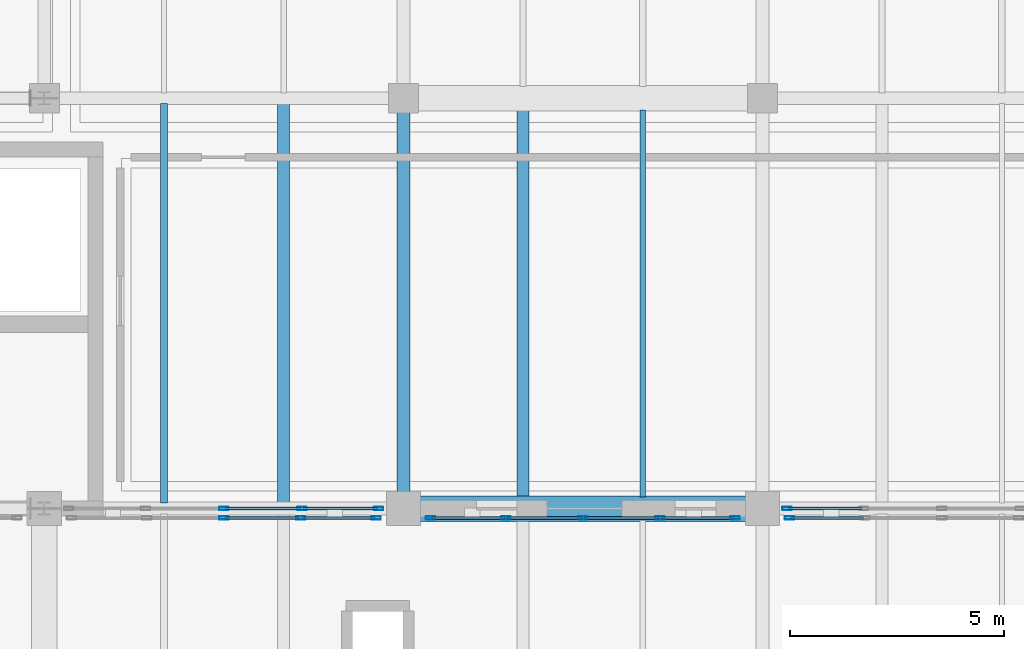
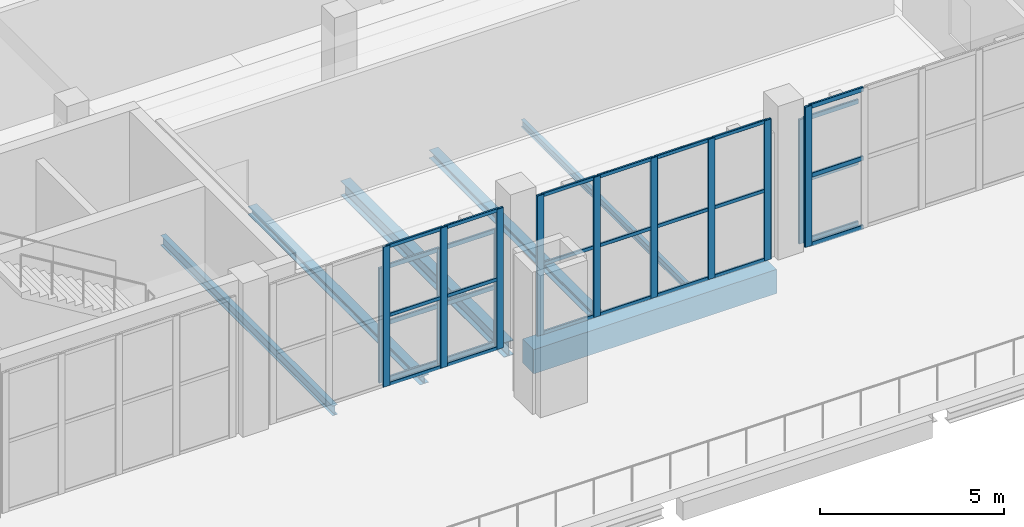
# One storey, part 10 of 77: 43 members, 6 beams, 5 elements without a shape of their own.
"""IFC4 building model written with IfcOpenShell, lengths in metres."""

from ifc_helpers import new_model, si_unit, direction, frame, origin, origin_2d, place, context, subcontext, project, spatial, rectangle, hollow_rectangle, i_section, extrude, material, layer, layer_set, material_profile, profile_set, type_object, element, aggregate, save


model = new_model("IFC4")

# Units and contexts
model_context = context("Model", 3, precision=1e-05, world=origin(), true_north=direction((0.0, 1.0)))
body_context = subcontext(model_context, "Body", "Model", "MODEL_VIEW")
ifc_project = project(units=[si_unit("LENGTHUNIT", "METRE"), si_unit("AREAUNIT", "SQUARE_METRE"), si_unit("VOLUMEUNIT", "CUBIC_METRE"), si_unit("PLANEANGLEUNIT", "RADIAN"), si_unit("MASSUNIT", "GRAM", prefix="KILO")], contexts=[model_context])

# Site, building, storey
site_placement = place(None, origin())
site = spatial("IfcSite", under=ifc_project, at=site_placement, CompositionType="ELEMENT")
building_placement = place(site_placement, origin())
building = spatial("IfcBuilding", under=site, at=building_placement, Name="Zulmaris Art Gallery", CompositionType="ELEMENT")
storey_placement = place(building_placement, frame((0.0, 0.0, 15.60009765625)))
storey = spatial("IfcBuildingStorey", under=building, at=storey_placement, Name="L03", CompositionType="ELEMENT", Elevation=15.60009765625)

# Beams
ifc_material_1 = material(Name="Steel S355J2", Category="steel")
ifc_material_profile_1 = material_profile(ifc_material_1, i_section(OverallWidth=0.300048828125, OverallDepth=0.489990234375, WebThickness=0.011962890625, FlangeThickness=0.02294921875, FilletRadius=0.027099609375, at=origin_2d()), Name="HEA 500")
ifc_profile_set_1 = profile_set([ifc_material_profile_1], Name="Steel S355J2")
beam_type_1 = type_object("IfcBeamType", Name="BEAM-BM11", PredefinedType="BEAM", material=ifc_profile_set_1)
beam_1_placement = place(storey_placement, frame((49.199951171875, 21.985107421875, -0.614990234375), z_axis=(0.0, 1.0, 0.0), x_axis=(-1.0, 0.0, 0.0)))
element("IfcBeam", 1, at=beam_1_placement, inside=storey, type_object=beam_type_1, Name="L03 Y-girder (x=49.2, 21.6..31.2)", PredefinedType="BEAM", context=body_context, shape_type="SweptSolid", body=[
    extrude(i_section(OverallWidth=0.300048828125, OverallDepth=0.489990234375, WebThickness=0.011962890625, FlangeThickness=0.02294921875, FilletRadius=0.027099609375, at=origin_2d()), origin(), (0.0, 0.0, 1.0), 8.8798828125),
])
ifc_material_2 = material(Name="Concrete C40/50", Category="concrete")
ifc_material_profile_2 = material_profile(ifc_material_2, rectangle(XDim=0.60009765625, YDim=0.800048828125, at=origin_2d()), Name="RC 600x800")
ifc_profile_set_2 = profile_set([ifc_material_profile_2], Name="Concrete C40/50")
beam_type_2 = type_object("IfcBeamType", Name="BEAM-BM27", PredefinedType="BEAM", material=ifc_profile_set_2)
beam_2_placement = place(storey_placement, frame((49.5849609375, 21.60009765625, -0.77001953125), z_axis=(1.0, 0.0, 0.0), x_axis=(0.0, 1.0, 0.0)))
element("IfcBeam", 2, at=beam_2_placement, inside=storey, type_object=beam_type_2, Name="L03 X-girder (49.2..57.6, y=21.6)", PredefinedType="BEAM", context=body_context, shape_type="SweptSolid", body=[
    extrude(rectangle(XDim=0.60009765625, YDim=0.800048828125, at=origin_2d()), origin(), (0.0, 0.0, 1.0), 7.630126953125),
])
ifc_material_profile_3 = material_profile(ifc_material_1, i_section(OverallWidth=0.1201171875, OverallDepth=0.239990234375, WebThickness=0.006103515625, FlangeThickness=0.009765625, FilletRadius=0.014892578125, at=origin_2d()), Name="IPE 240")
ifc_profile_set_3 = profile_set([ifc_material_profile_3], Name="Steel S355J2")
beam_type_3 = type_object("IfcBeamType", Name="BEAM-JS01", PredefinedType="JOIST", material=ifc_profile_set_3)
beam_3_placement = place(storey_placement, frame((54.800048828125, 21.875, -0.489990234375), z_axis=(0.0, 1.0, 0.0), x_axis=(-1.0, 0.0, 0.0)))
element("IfcBeam", 3, at=beam_3_placement, inside=storey, type_object=beam_type_3, Name="L03 secondary joist at x=54.8", PredefinedType="JOIST", context=body_context, shape_type="SweptSolid", body=[
    extrude(i_section(OverallWidth=0.1201171875, OverallDepth=0.239990234375, WebThickness=0.006103515625, FlangeThickness=0.009765625, FilletRadius=0.014892578125, at=origin_2d()), origin(), (0.0, 0.0, 1.0), 9.050048828125),
])
ifc_material_profile_4 = material_profile(ifc_material_1, i_section(OverallWidth=0.159912109375, OverallDepth=0.330078125, WebThickness=0.007568359375, FlangeThickness=0.011474609375, FilletRadius=0.01806640625, at=origin_2d()), Name="IPE 330")
ifc_profile_set_4 = profile_set([ifc_material_profile_4], Name="Steel S355J2")
beam_type_4 = type_object("IfcBeamType", Name="BEAM-JS03", PredefinedType="JOIST", material=ifc_profile_set_4)
beam_4_placement = place(storey_placement, frame((43.60009765625, 21.72509765625, -0.53515625), z_axis=(0.0, 1.0, 0.0), x_axis=(-1.0, 0.0, 0.0)))
element("IfcBeam", 4, at=beam_4_placement, inside=storey, type_object=beam_type_4, Name="L03 secondary joist at x=43.6", PredefinedType="JOIST", context=body_context, shape_type="SweptSolid", body=[
    extrude(i_section(OverallWidth=0.159912109375, OverallDepth=0.330078125, WebThickness=0.007568359375, FlangeThickness=0.011474609375, FilletRadius=0.01806640625, at=origin_2d()), origin(), (0.0, 0.0, 1.0), 9.349853515625),
])
ifc_material_profile_5 = material_profile(ifc_material_1, i_section(OverallWidth=0.280029296875, OverallDepth=0.27001953125, WebThickness=0.008056640625, FlangeThickness=0.012939453125, FilletRadius=0.02392578125, at=origin_2d()), Name="HEA 280")
ifc_profile_set_5 = profile_set([ifc_material_profile_5], Name="Steel S355J2")
beam_type_5 = type_object("IfcBeamType", Name="BEAM-JS04", PredefinedType="JOIST", material=ifc_profile_set_5)
beam_5_placement = place(storey_placement, frame((46.39990234375, 21.72509765625, -0.505126953125), z_axis=(0.0, 1.0, 0.0), x_axis=(-1.0, 0.0, 0.0)))
element("IfcBeam", 5, at=beam_5_placement, inside=storey, type_object=beam_type_5, Name="L03 secondary joist at x=46.4", PredefinedType="JOIST", context=body_context, shape_type="SweptSolid", body=[
    extrude(i_section(OverallWidth=0.280029296875, OverallDepth=0.27001953125, WebThickness=0.008056640625, FlangeThickness=0.012939453125, FilletRadius=0.02392578125, at=origin_2d()), origin(), (0.0, 0.0, 1.0), 9.349853515625),
])
beam_6_placement = place(storey_placement, frame((52.0, 21.875, -0.505126953125), z_axis=(0.0, 1.0, 0.0), x_axis=(-1.0, 0.0, 0.0)))
element("IfcBeam", 6, at=beam_6_placement, inside=storey, type_object=beam_type_5, Name="L03 secondary joist at x=52.0", PredefinedType="JOIST", context=body_context, shape_type="SweptSolid", body=[
    extrude(i_section(OverallWidth=0.280029296875, OverallDepth=0.27001953125, WebThickness=0.008056640625, FlangeThickness=0.012939453125, FilletRadius=0.02392578125, at=origin_2d()), origin(), (0.0, 0.0, 1.0), 9.050048828125),
])

# Curtain wall, members
ifc_material_3 = material(Name="Unitised Low-E Gallery Curtain Wall", Category="aluminium")
ifc_layer_1 = layer(ifc_material_3, 0.179931640625)
ifc_layer_set_1 = layer_set([ifc_layer_1], Name="Unitised Low-E Gallery Curtain Wall")
curtain_wall_type_1 = type_object("IfcCurtainWallType", Name="CW-CW01", PredefinedType="NOTDEFINED", material=ifc_layer_set_1)
curtain_wall_1_placement = place(storey_placement, origin())
curtain_wall_1 = element("IfcCurtainWall", 7, at=curtain_wall_1_placement, inside=storey, type_object=curtain_wall_type_1, Name="L03 curtain wall 8", PredefinedType="NOTDEFINED")
ifc_material_4 = material(Name="Anodised Bronze Aluminium", Category="aluminium")
ifc_material_profile_6 = material_profile(ifc_material_4, hollow_rectangle(XDim=0.074951171875, YDim=0.219970703125, WallThickness=0.0048828125, InnerFilletRadius=0.007568359375, OuterFilletRadius=0.012451171875, at=origin_2d()), Name="ALU 75x220x5")
ifc_profile_set_6 = profile_set([ifc_material_profile_6], Name="Anodised Bronze Aluminium")
member_type_1 = type_object("IfcMemberType", Name="CWMUL-02", PredefinedType="MULLION", material=ifc_profile_set_6)
member_1_placement = place(storey_placement, frame((45.0, 21.60009765625, 0.0), z_axis=(0.0, 0.0, 1.0), x_axis=(0.0, 1.0, 0.0)))
member_1 = element("IfcMember", 8, at=member_1_placement, type_object=member_type_1, Name="CW01 mullion 3", PredefinedType="MULLION", context=body_context, shape_type="SweptSolid", body=[
    extrude(hollow_rectangle(XDim=0.074951171875, YDim=0.219970703125, WallThickness=0.0048828125, InnerFilletRadius=0.007568359375, OuterFilletRadius=0.012451171875, at=origin_2d()), origin(), (0.0, 0.0, 1.0), 3.809814453125),
])
member_2_placement = place(storey_placement, frame((46.830078125, 21.60009765625, 0.0), z_axis=(0.0, 0.0, 1.0), x_axis=(0.0, 1.0, 0.0)))
member_2 = element("IfcMember", 9, at=member_2_placement, type_object=member_type_1, Name="CW01 mullion 4", PredefinedType="MULLION", context=body_context, shape_type="SweptSolid", body=[
    extrude(hollow_rectangle(XDim=0.074951171875, YDim=0.219970703125, WallThickness=0.0048828125, InnerFilletRadius=0.007568359375, OuterFilletRadius=0.012451171875, at=origin_2d()), origin(), (0.0, 0.0, 1.0), 3.809814453125),
])
member_3_placement = place(storey_placement, frame((48.62255859375, 21.60009765625, 0.0), z_axis=(0.0, 0.0, 1.0), x_axis=(0.0, 1.0, 0.0)))
member_3 = element("IfcMember", 10, at=member_3_placement, type_object=member_type_1, Name="CW01 mullion 5", PredefinedType="MULLION", context=body_context, shape_type="SweptSolid", body=[
    extrude(hollow_rectangle(XDim=0.074951171875, YDim=0.219970703125, WallThickness=0.0048828125, InnerFilletRadius=0.007568359375, OuterFilletRadius=0.012451171875, at=origin_2d()), origin(), (0.0, 0.0, 1.0), 3.809814453125),
])

# Curtain wall, member
curtain_wall_2_placement = place(storey_placement, origin())
curtain_wall_2 = element("IfcCurtainWall", 11, at=curtain_wall_2_placement, inside=storey, type_object=curtain_wall_type_1, Name="L03 curtain wall 11", PredefinedType="NOTDEFINED")
member_4_placement = place(storey_placement, frame((58.177490234375, 21.60009765625, 0.0), z_axis=(0.0, 0.0, 1.0), x_axis=(0.0, 1.0, 0.0)))
member_4 = element("IfcMember", 12, at=member_4_placement, type_object=member_type_1, Name="CW01 mullion 1", PredefinedType="MULLION", context=body_context, shape_type="SweptSolid", body=[
    extrude(hollow_rectangle(XDim=0.074951171875, YDim=0.219970703125, WallThickness=0.0048828125, InnerFilletRadius=0.007568359375, OuterFilletRadius=0.012451171875, at=origin_2d()), origin(), (0.0, 0.0, 1.0), 4.119873046875),
])

# Curtain wall, members
ifc_material_5 = material(Name="Perforated Bronze Art Deco Mashrabiya Screen", Category="aluminium")
ifc_layer_2 = layer(ifc_material_5, 0.179931640625)
ifc_layer_set_2 = layer_set([ifc_layer_2], Name="Perforated Bronze Art Deco Mashrabiya Screen")
curtain_wall_type_2 = type_object("IfcCurtainWallType", Name="CW-CW06", PredefinedType="USERDEFINED", material=ifc_layer_set_2)
curtain_wall_3_placement = place(storey_placement, origin())
curtain_wall_3 = element("IfcCurtainWall", 13, at=curtain_wall_3_placement, inside=storey, type_object=curtain_wall_type_2, Name="L03 Mashrabiya screen 173", ObjectType="MASHRABIYA SCREEN", PredefinedType="USERDEFINED")
member_5_placement = place(storey_placement, frame((45.0, 21.3798828125, 0.0), z_axis=(0.0, 0.0, 1.0), x_axis=(0.0, 1.0, 0.0)))
member_5 = element("IfcMember", 14, at=member_5_placement, type_object=member_type_1, Name="CW06 mullion 3", PredefinedType="MULLION", context=body_context, shape_type="SweptSolid", body=[
    extrude(hollow_rectangle(XDim=0.074951171875, YDim=0.219970703125, WallThickness=0.0048828125, InnerFilletRadius=0.007568359375, OuterFilletRadius=0.012451171875, at=origin_2d()), origin(), (0.0, 0.0, 1.0), 4.64990234375),
])
member_6_placement = place(storey_placement, frame((46.800048828125, 21.3798828125, 0.0), z_axis=(0.0, 0.0, 1.0), x_axis=(0.0, 1.0, 0.0)))
member_6 = element("IfcMember", 15, at=member_6_placement, type_object=member_type_1, Name="CW06 mullion 4", PredefinedType="MULLION", context=body_context, shape_type="SweptSolid", body=[
    extrude(hollow_rectangle(XDim=0.074951171875, YDim=0.219970703125, WallThickness=0.0048828125, InnerFilletRadius=0.007568359375, OuterFilletRadius=0.012451171875, at=origin_2d()), origin(), (0.0, 0.0, 1.0), 4.64990234375),
])
member_7_placement = place(storey_placement, frame((48.5625, 21.3798828125, 0.0), z_axis=(0.0, 0.0, 1.0), x_axis=(0.0, 1.0, 0.0)))
member_7 = element("IfcMember", 16, at=member_7_placement, type_object=member_type_1, Name="CW06 mullion 5", PredefinedType="MULLION", context=body_context, shape_type="SweptSolid", body=[
    extrude(hollow_rectangle(XDim=0.074951171875, YDim=0.219970703125, WallThickness=0.0048828125, InnerFilletRadius=0.007568359375, OuterFilletRadius=0.012451171875, at=origin_2d()), origin(), (0.0, 0.0, 1.0), 4.64990234375),
])

curtain_wall_4_placement = place(storey_placement, origin())
curtain_wall_4 = element("IfcCurtainWall", 17, at=curtain_wall_4_placement, inside=storey, type_object=curtain_wall_type_2, Name="L03 Mashrabiya screen 174", ObjectType="MASHRABIYA SCREEN", PredefinedType="USERDEFINED")
member_8_placement = place(storey_placement, frame((49.83740234375, 21.3798828125, 0.0), z_axis=(0.0, 0.0, 1.0), x_axis=(0.0, 1.0, 0.0)))
member_8 = element("IfcMember", 18, at=member_8_placement, type_object=member_type_1, Name="CW06 mullion 1", PredefinedType="MULLION", context=body_context, shape_type="SweptSolid", body=[
    extrude(hollow_rectangle(XDim=0.074951171875, YDim=0.219970703125, WallThickness=0.0048828125, InnerFilletRadius=0.007568359375, OuterFilletRadius=0.012451171875, at=origin_2d()), origin(), (0.0, 0.0, 1.0), 4.64990234375),
])
member_9_placement = place(storey_placement, frame((51.60009765625, 21.3798828125, 0.0), z_axis=(0.0, 0.0, 1.0), x_axis=(0.0, 1.0, 0.0)))
member_9 = element("IfcMember", 19, at=member_9_placement, type_object=member_type_1, Name="CW06 mullion 2", PredefinedType="MULLION", context=body_context, shape_type="SweptSolid", body=[
    extrude(hollow_rectangle(XDim=0.074951171875, YDim=0.219970703125, WallThickness=0.0048828125, InnerFilletRadius=0.007568359375, OuterFilletRadius=0.012451171875, at=origin_2d()), origin(), (0.0, 0.0, 1.0), 4.64990234375),
])
member_10_placement = place(storey_placement, frame((53.39990234375, 21.3798828125, 0.0), z_axis=(0.0, 0.0, 1.0), x_axis=(0.0, 1.0, 0.0)))
member_10 = element("IfcMember", 20, at=member_10_placement, type_object=member_type_1, Name="CW06 mullion 3", PredefinedType="MULLION", context=body_context, shape_type="SweptSolid", body=[
    extrude(hollow_rectangle(XDim=0.074951171875, YDim=0.219970703125, WallThickness=0.0048828125, InnerFilletRadius=0.007568359375, OuterFilletRadius=0.012451171875, at=origin_2d()), origin(), (0.0, 0.0, 1.0), 4.64990234375),
])
member_11_placement = place(storey_placement, frame((55.199951171875, 21.3798828125, 0.0), z_axis=(0.0, 0.0, 1.0), x_axis=(0.0, 1.0, 0.0)))
member_11 = element("IfcMember", 21, at=member_11_placement, type_object=member_type_1, Name="CW06 mullion 4", PredefinedType="MULLION", context=body_context, shape_type="SweptSolid", body=[
    extrude(hollow_rectangle(XDim=0.074951171875, YDim=0.219970703125, WallThickness=0.0048828125, InnerFilletRadius=0.007568359375, OuterFilletRadius=0.012451171875, at=origin_2d()), origin(), (0.0, 0.0, 1.0), 4.64990234375),
])
member_12_placement = place(storey_placement, frame((56.96240234375, 21.3798828125, 0.0), z_axis=(0.0, 0.0, 1.0), x_axis=(0.0, 1.0, 0.0)))
member_12 = element("IfcMember", 22, at=member_12_placement, type_object=member_type_1, Name="CW06 mullion 5", PredefinedType="MULLION", context=body_context, shape_type="SweptSolid", body=[
    extrude(hollow_rectangle(XDim=0.074951171875, YDim=0.219970703125, WallThickness=0.0048828125, InnerFilletRadius=0.007568359375, OuterFilletRadius=0.012451171875, at=origin_2d()), origin(), (0.0, 0.0, 1.0), 4.64990234375),
])

# Curtain wall, member
curtain_wall_5_placement = place(storey_placement, origin())
curtain_wall_5 = element("IfcCurtainWall", 23, at=curtain_wall_5_placement, inside=storey, type_object=curtain_wall_type_2, Name="L03 Mashrabiya screen 175", ObjectType="MASHRABIYA SCREEN", PredefinedType="USERDEFINED")
member_13_placement = place(storey_placement, frame((58.237548828125, 21.3798828125, 0.0), z_axis=(0.0, 0.0, 1.0), x_axis=(0.0, 1.0, 0.0)))
member_13 = element("IfcMember", 24, at=member_13_placement, type_object=member_type_1, Name="CW06 mullion 1", PredefinedType="MULLION", context=body_context, shape_type="SweptSolid", body=[
    extrude(hollow_rectangle(XDim=0.074951171875, YDim=0.219970703125, WallThickness=0.0048828125, InnerFilletRadius=0.007568359375, OuterFilletRadius=0.012451171875, at=origin_2d()), origin(), (0.0, 0.0, 1.0), 4.64990234375),
])

# Member
ifc_material_profile_7 = material_profile(ifc_material_4, hollow_rectangle(XDim=0.06494140625, YDim=0.14990234375, WallThickness=0.00390625, InnerFilletRadius=0.006103515625, OuterFilletRadius=0.010009765625, at=origin_2d()), Name="ALU 65x150x4")
ifc_profile_set_7 = profile_set([ifc_material_profile_7], Name="Anodised Bronze Aluminium")
member_type_2 = type_object("IfcMemberType", Name="CWTRN-01", PredefinedType="USERDEFINED", material=ifc_profile_set_7)
member_14_placement = place(storey_placement, frame((45.03759765625, 21.60009765625, 0.037353515625), z_axis=(1.0, 0.0, 0.0), x_axis=(0.0, 1.0, 0.0)))
member_14 = element("IfcMember", 25, at=member_14_placement, type_object=member_type_2, Name="CW01 transom 3.1", ObjectType="TRANSOM", PredefinedType="USERDEFINED", context=body_context, shape_type="SweptSolid", body=[
    extrude(hollow_rectangle(XDim=0.06494140625, YDim=0.14990234375, WallThickness=0.00390625, InnerFilletRadius=0.006103515625, OuterFilletRadius=0.010009765625, at=origin_2d()), origin(), (0.0, 0.0, 1.0), 1.7548828125),
])

member_15_placement = place(storey_placement, frame((45.03759765625, 21.60009765625, 1.90478515625), z_axis=(1.0, 0.0, 0.0), x_axis=(0.0, 1.0, 0.0)))
member_15 = element("IfcMember", 26, at=member_15_placement, type_object=member_type_2, Name="CW01 transom 3.2", ObjectType="TRANSOM", PredefinedType="USERDEFINED", context=body_context, shape_type="SweptSolid", body=[
    extrude(hollow_rectangle(XDim=0.06494140625, YDim=0.14990234375, WallThickness=0.00390625, InnerFilletRadius=0.006103515625, OuterFilletRadius=0.010009765625, at=origin_2d()), origin(), (0.0, 0.0, 1.0), 1.7548828125),
])

member_16_placement = place(storey_placement, frame((45.03759765625, 21.60009765625, 3.7724609375), z_axis=(1.0, 0.0, 0.0), x_axis=(0.0, 1.0, 0.0)))
member_16 = element("IfcMember", 27, at=member_16_placement, type_object=member_type_2, Name="CW01 transom 3.3", ObjectType="TRANSOM", PredefinedType="USERDEFINED", context=body_context, shape_type="SweptSolid", body=[
    extrude(hollow_rectangle(XDim=0.06494140625, YDim=0.14990234375, WallThickness=0.00390625, InnerFilletRadius=0.006103515625, OuterFilletRadius=0.010009765625, at=origin_2d()), origin(), (0.0, 0.0, 1.0), 1.7548828125),
])

member_17_placement = place(storey_placement, frame((46.867431640625, 21.60009765625, 0.037353515625), z_axis=(1.0, 0.0, 0.0), x_axis=(0.0, 1.0, 0.0)))
member_17 = element("IfcMember", 28, at=member_17_placement, type_object=member_type_2, Name="CW01 transom 4.1", ObjectType="TRANSOM", PredefinedType="USERDEFINED", context=body_context, shape_type="SweptSolid", body=[
    extrude(hollow_rectangle(XDim=0.06494140625, YDim=0.14990234375, WallThickness=0.00390625, InnerFilletRadius=0.006103515625, OuterFilletRadius=0.010009765625, at=origin_2d()), origin(), (0.0, 0.0, 1.0), 1.717529296875),
])

member_18_placement = place(storey_placement, frame((46.867431640625, 21.60009765625, 1.90478515625), z_axis=(1.0, 0.0, 0.0), x_axis=(0.0, 1.0, 0.0)))
member_18 = element("IfcMember", 29, at=member_18_placement, type_object=member_type_2, Name="CW01 transom 4.2", ObjectType="TRANSOM", PredefinedType="USERDEFINED", context=body_context, shape_type="SweptSolid", body=[
    extrude(hollow_rectangle(XDim=0.06494140625, YDim=0.14990234375, WallThickness=0.00390625, InnerFilletRadius=0.006103515625, OuterFilletRadius=0.010009765625, at=origin_2d()), origin(), (0.0, 0.0, 1.0), 1.717529296875),
])

member_19_placement = place(storey_placement, frame((46.867431640625, 21.60009765625, 3.7724609375), z_axis=(1.0, 0.0, 0.0), x_axis=(0.0, 1.0, 0.0)))
member_19 = element("IfcMember", 30, at=member_19_placement, type_object=member_type_2, Name="CW01 transom 4.3", ObjectType="TRANSOM", PredefinedType="USERDEFINED", context=body_context, shape_type="SweptSolid", body=[
    extrude(hollow_rectangle(XDim=0.06494140625, YDim=0.14990234375, WallThickness=0.00390625, InnerFilletRadius=0.006103515625, OuterFilletRadius=0.010009765625, at=origin_2d()), origin(), (0.0, 0.0, 1.0), 1.717529296875),
])

aggregate(curtain_wall_1, [member_1, member_2, member_3, member_14, member_15, member_16, member_17, member_18, member_19])

member_20_placement = place(storey_placement, frame((58.215087890625, 21.60009765625, 0.037353515625), z_axis=(1.0, 0.0, 0.0), x_axis=(0.0, 1.0, 0.0)))
member_20 = element("IfcMember", 31, at=member_20_placement, type_object=member_type_2, Name="CW01 transom 1.1", ObjectType="TRANSOM", PredefinedType="USERDEFINED", context=body_context, shape_type="SweptSolid", body=[
    extrude(hollow_rectangle(XDim=0.06494140625, YDim=0.14990234375, WallThickness=0.00390625, InnerFilletRadius=0.006103515625, OuterFilletRadius=0.010009765625, at=origin_2d()), origin(), (0.0, 0.0, 1.0), 1.717529296875),
])

member_21_placement = place(storey_placement, frame((58.215087890625, 21.60009765625, 2.059814453125), z_axis=(1.0, 0.0, 0.0), x_axis=(0.0, 1.0, 0.0)))
member_21 = element("IfcMember", 32, at=member_21_placement, type_object=member_type_2, Name="CW01 transom 1.2", ObjectType="TRANSOM", PredefinedType="USERDEFINED", context=body_context, shape_type="SweptSolid", body=[
    extrude(hollow_rectangle(XDim=0.06494140625, YDim=0.14990234375, WallThickness=0.00390625, InnerFilletRadius=0.006103515625, OuterFilletRadius=0.010009765625, at=origin_2d()), origin(), (0.0, 0.0, 1.0), 1.717529296875),
])

member_22_placement = place(storey_placement, frame((58.215087890625, 21.60009765625, 4.08251953125), z_axis=(1.0, 0.0, 0.0), x_axis=(0.0, 1.0, 0.0)))
member_22 = element("IfcMember", 33, at=member_22_placement, type_object=member_type_2, Name="CW01 transom 1.3", ObjectType="TRANSOM", PredefinedType="USERDEFINED", context=body_context, shape_type="SweptSolid", body=[
    extrude(hollow_rectangle(XDim=0.06494140625, YDim=0.14990234375, WallThickness=0.00390625, InnerFilletRadius=0.006103515625, OuterFilletRadius=0.010009765625, at=origin_2d()), origin(), (0.0, 0.0, 1.0), 1.717529296875),
])

aggregate(curtain_wall_2, [member_4, member_20, member_21, member_22])

member_23_placement = place(storey_placement, frame((58.27490234375, 21.3798828125, 0.037353515625), z_axis=(1.0, 0.0, 0.0), x_axis=(0.0, 1.0, 0.0)))
member_23 = element("IfcMember", 34, at=member_23_placement, type_object=member_type_2, Name="CW06 transom 1.1", ObjectType="TRANSOM", PredefinedType="USERDEFINED", context=body_context, shape_type="SweptSolid", body=[
    extrude(hollow_rectangle(XDim=0.06494140625, YDim=0.14990234375, WallThickness=0.00390625, InnerFilletRadius=0.006103515625, OuterFilletRadius=0.010009765625, at=origin_2d()), origin(), (0.0, 0.0, 1.0), 1.6875),
])

member_24_placement = place(storey_placement, frame((58.27490234375, 21.3798828125, 2.324951171875), z_axis=(1.0, 0.0, 0.0), x_axis=(0.0, 1.0, 0.0)))
member_24 = element("IfcMember", 35, at=member_24_placement, type_object=member_type_2, Name="CW06 transom 1.2", ObjectType="TRANSOM", PredefinedType="USERDEFINED", context=body_context, shape_type="SweptSolid", body=[
    extrude(hollow_rectangle(XDim=0.06494140625, YDim=0.14990234375, WallThickness=0.00390625, InnerFilletRadius=0.006103515625, OuterFilletRadius=0.010009765625, at=origin_2d()), origin(), (0.0, 0.0, 1.0), 1.6875),
])

member_25_placement = place(storey_placement, frame((58.27490234375, 21.3798828125, 4.6123046875), z_axis=(1.0, 0.0, 0.0), x_axis=(0.0, 1.0, 0.0)))
member_25 = element("IfcMember", 36, at=member_25_placement, type_object=member_type_2, Name="CW06 transom 1.3", ObjectType="TRANSOM", PredefinedType="USERDEFINED", context=body_context, shape_type="SweptSolid", body=[
    extrude(hollow_rectangle(XDim=0.06494140625, YDim=0.14990234375, WallThickness=0.00390625, InnerFilletRadius=0.006103515625, OuterFilletRadius=0.010009765625, at=origin_2d()), origin(), (0.0, 0.0, 1.0), 1.6875),
])

aggregate(curtain_wall_5, [member_13, member_23, member_24, member_25])

ifc_material_profile_8 = material_profile(ifc_material_4, hollow_rectangle(XDim=0.06494140625, YDim=0.1201171875, WallThickness=0.00390625, InnerFilletRadius=0.006103515625, OuterFilletRadius=0.010009765625, at=origin_2d()), Name="ALU 65x120x4")
ifc_profile_set_8 = profile_set([ifc_material_profile_8], Name="Anodised Bronze Aluminium")
member_type_3 = type_object("IfcMemberType", Name="CWTRN-03", PredefinedType="USERDEFINED", material=ifc_profile_set_8)
member_26_placement = place(storey_placement, frame((45.03759765625, 21.3798828125, 0.037353515625), z_axis=(1.0, 0.0, 0.0), x_axis=(0.0, 1.0, 0.0)))
member_26 = element("IfcMember", 37, at=member_26_placement, type_object=member_type_3, Name="CW06 transom 3.1", ObjectType="TRANSOM", PredefinedType="USERDEFINED", context=body_context, shape_type="SweptSolid", body=[
    extrude(hollow_rectangle(XDim=0.06494140625, YDim=0.1201171875, WallThickness=0.00390625, InnerFilletRadius=0.006103515625, OuterFilletRadius=0.010009765625, at=origin_2d()), origin(), (0.0, 0.0, 1.0), 1.724853515625),
])

member_27_placement = place(storey_placement, frame((45.03759765625, 21.3798828125, 2.324951171875), z_axis=(1.0, 0.0, 0.0), x_axis=(0.0, 1.0, 0.0)))
member_27 = element("IfcMember", 38, at=member_27_placement, type_object=member_type_3, Name="CW06 transom 3.2", ObjectType="TRANSOM", PredefinedType="USERDEFINED", context=body_context, shape_type="SweptSolid", body=[
    extrude(hollow_rectangle(XDim=0.06494140625, YDim=0.1201171875, WallThickness=0.00390625, InnerFilletRadius=0.006103515625, OuterFilletRadius=0.010009765625, at=origin_2d()), origin(), (0.0, 0.0, 1.0), 1.724853515625),
])

member_28_placement = place(storey_placement, frame((45.03759765625, 21.3798828125, 4.6123046875), z_axis=(1.0, 0.0, 0.0), x_axis=(0.0, 1.0, 0.0)))
member_28 = element("IfcMember", 39, at=member_28_placement, type_object=member_type_3, Name="CW06 transom 3.3", ObjectType="TRANSOM", PredefinedType="USERDEFINED", context=body_context, shape_type="SweptSolid", body=[
    extrude(hollow_rectangle(XDim=0.06494140625, YDim=0.1201171875, WallThickness=0.00390625, InnerFilletRadius=0.006103515625, OuterFilletRadius=0.010009765625, at=origin_2d()), origin(), (0.0, 0.0, 1.0), 1.724853515625),
])

member_29_placement = place(storey_placement, frame((46.83740234375, 21.3798828125, 0.037353515625), z_axis=(1.0, 0.0, 0.0), x_axis=(0.0, 1.0, 0.0)))
member_29 = element("IfcMember", 40, at=member_29_placement, type_object=member_type_3, Name="CW06 transom 4.1", ObjectType="TRANSOM", PredefinedType="USERDEFINED", context=body_context, shape_type="SweptSolid", body=[
    extrude(hollow_rectangle(XDim=0.06494140625, YDim=0.1201171875, WallThickness=0.00390625, InnerFilletRadius=0.006103515625, OuterFilletRadius=0.010009765625, at=origin_2d()), origin(), (0.0, 0.0, 1.0), 1.6875),
])

member_30_placement = place(storey_placement, frame((46.83740234375, 21.3798828125, 2.324951171875), z_axis=(1.0, 0.0, 0.0), x_axis=(0.0, 1.0, 0.0)))
member_30 = element("IfcMember", 41, at=member_30_placement, type_object=member_type_3, Name="CW06 transom 4.2", ObjectType="TRANSOM", PredefinedType="USERDEFINED", context=body_context, shape_type="SweptSolid", body=[
    extrude(hollow_rectangle(XDim=0.06494140625, YDim=0.1201171875, WallThickness=0.00390625, InnerFilletRadius=0.006103515625, OuterFilletRadius=0.010009765625, at=origin_2d()), origin(), (0.0, 0.0, 1.0), 1.6875),
])

member_31_placement = place(storey_placement, frame((46.83740234375, 21.3798828125, 4.6123046875), z_axis=(1.0, 0.0, 0.0), x_axis=(0.0, 1.0, 0.0)))
member_31 = element("IfcMember", 42, at=member_31_placement, type_object=member_type_3, Name="CW06 transom 4.3", ObjectType="TRANSOM", PredefinedType="USERDEFINED", context=body_context, shape_type="SweptSolid", body=[
    extrude(hollow_rectangle(XDim=0.06494140625, YDim=0.1201171875, WallThickness=0.00390625, InnerFilletRadius=0.006103515625, OuterFilletRadius=0.010009765625, at=origin_2d()), origin(), (0.0, 0.0, 1.0), 1.6875),
])

aggregate(curtain_wall_3, [member_5, member_6, member_7, member_26, member_27, member_28, member_29, member_30, member_31])

member_32_placement = place(storey_placement, frame((49.875, 21.3798828125, 0.037353515625), z_axis=(1.0, 0.0, 0.0), x_axis=(0.0, 1.0, 0.0)))
member_32 = element("IfcMember", 43, at=member_32_placement, type_object=member_type_3, Name="CW06 transom 1.1", ObjectType="TRANSOM", PredefinedType="USERDEFINED", context=body_context, shape_type="SweptSolid", body=[
    extrude(hollow_rectangle(XDim=0.06494140625, YDim=0.1201171875, WallThickness=0.00390625, InnerFilletRadius=0.006103515625, OuterFilletRadius=0.010009765625, at=origin_2d()), origin(), (0.0, 0.0, 1.0), 1.6875),
])

member_33_placement = place(storey_placement, frame((49.875, 21.3798828125, 2.324951171875), z_axis=(1.0, 0.0, 0.0), x_axis=(0.0, 1.0, 0.0)))
member_33 = element("IfcMember", 44, at=member_33_placement, type_object=member_type_3, Name="CW06 transom 1.2", ObjectType="TRANSOM", PredefinedType="USERDEFINED", context=body_context, shape_type="SweptSolid", body=[
    extrude(hollow_rectangle(XDim=0.06494140625, YDim=0.1201171875, WallThickness=0.00390625, InnerFilletRadius=0.006103515625, OuterFilletRadius=0.010009765625, at=origin_2d()), origin(), (0.0, 0.0, 1.0), 1.6875),
])

member_34_placement = place(storey_placement, frame((49.875, 21.3798828125, 4.6123046875), z_axis=(1.0, 0.0, 0.0), x_axis=(0.0, 1.0, 0.0)))
member_34 = element("IfcMember", 45, at=member_34_placement, type_object=member_type_3, Name="CW06 transom 1.3", ObjectType="TRANSOM", PredefinedType="USERDEFINED", context=body_context, shape_type="SweptSolid", body=[
    extrude(hollow_rectangle(XDim=0.06494140625, YDim=0.1201171875, WallThickness=0.00390625, InnerFilletRadius=0.006103515625, OuterFilletRadius=0.010009765625, at=origin_2d()), origin(), (0.0, 0.0, 1.0), 1.6875),
])

member_35_placement = place(storey_placement, frame((51.637451171875, 21.3798828125, 0.037353515625), z_axis=(1.0, 0.0, 0.0), x_axis=(0.0, 1.0, 0.0)))
member_35 = element("IfcMember", 46, at=member_35_placement, type_object=member_type_3, Name="CW06 transom 2.1", ObjectType="TRANSOM", PredefinedType="USERDEFINED", context=body_context, shape_type="SweptSolid", body=[
    extrude(hollow_rectangle(XDim=0.06494140625, YDim=0.1201171875, WallThickness=0.00390625, InnerFilletRadius=0.006103515625, OuterFilletRadius=0.010009765625, at=origin_2d()), origin(), (0.0, 0.0, 1.0), 1.72509765625),
])

member_36_placement = place(storey_placement, frame((51.637451171875, 21.3798828125, 2.324951171875), z_axis=(1.0, 0.0, 0.0), x_axis=(0.0, 1.0, 0.0)))
member_36 = element("IfcMember", 47, at=member_36_placement, type_object=member_type_3, Name="CW06 transom 2.2", ObjectType="TRANSOM", PredefinedType="USERDEFINED", context=body_context, shape_type="SweptSolid", body=[
    extrude(hollow_rectangle(XDim=0.06494140625, YDim=0.1201171875, WallThickness=0.00390625, InnerFilletRadius=0.006103515625, OuterFilletRadius=0.010009765625, at=origin_2d()), origin(), (0.0, 0.0, 1.0), 1.72509765625),
])

member_37_placement = place(storey_placement, frame((51.637451171875, 21.3798828125, 4.6123046875), z_axis=(1.0, 0.0, 0.0), x_axis=(0.0, 1.0, 0.0)))
member_37 = element("IfcMember", 48, at=member_37_placement, type_object=member_type_3, Name="CW06 transom 2.3", ObjectType="TRANSOM", PredefinedType="USERDEFINED", context=body_context, shape_type="SweptSolid", body=[
    extrude(hollow_rectangle(XDim=0.06494140625, YDim=0.1201171875, WallThickness=0.00390625, InnerFilletRadius=0.006103515625, OuterFilletRadius=0.010009765625, at=origin_2d()), origin(), (0.0, 0.0, 1.0), 1.72509765625),
])

member_38_placement = place(storey_placement, frame((53.4375, 21.3798828125, 0.037353515625), z_axis=(1.0, 0.0, 0.0), x_axis=(0.0, 1.0, 0.0)))
member_38 = element("IfcMember", 49, at=member_38_placement, type_object=member_type_3, Name="CW06 transom 3.1", ObjectType="TRANSOM", PredefinedType="USERDEFINED", context=body_context, shape_type="SweptSolid", body=[
    extrude(hollow_rectangle(XDim=0.06494140625, YDim=0.1201171875, WallThickness=0.00390625, InnerFilletRadius=0.006103515625, OuterFilletRadius=0.010009765625, at=origin_2d()), origin(), (0.0, 0.0, 1.0), 1.72509765625),
])

member_39_placement = place(storey_placement, frame((53.4375, 21.3798828125, 2.324951171875), z_axis=(1.0, 0.0, 0.0), x_axis=(0.0, 1.0, 0.0)))
member_39 = element("IfcMember", 50, at=member_39_placement, type_object=member_type_3, Name="CW06 transom 3.2", ObjectType="TRANSOM", PredefinedType="USERDEFINED", context=body_context, shape_type="SweptSolid", body=[
    extrude(hollow_rectangle(XDim=0.06494140625, YDim=0.1201171875, WallThickness=0.00390625, InnerFilletRadius=0.006103515625, OuterFilletRadius=0.010009765625, at=origin_2d()), origin(), (0.0, 0.0, 1.0), 1.72509765625),
])

member_40_placement = place(storey_placement, frame((53.4375, 21.3798828125, 4.6123046875), z_axis=(1.0, 0.0, 0.0), x_axis=(0.0, 1.0, 0.0)))
member_40 = element("IfcMember", 51, at=member_40_placement, type_object=member_type_3, Name="CW06 transom 3.3", ObjectType="TRANSOM", PredefinedType="USERDEFINED", context=body_context, shape_type="SweptSolid", body=[
    extrude(hollow_rectangle(XDim=0.06494140625, YDim=0.1201171875, WallThickness=0.00390625, InnerFilletRadius=0.006103515625, OuterFilletRadius=0.010009765625, at=origin_2d()), origin(), (0.0, 0.0, 1.0), 1.72509765625),
])

member_41_placement = place(storey_placement, frame((55.237548828125, 21.3798828125, 0.037353515625), z_axis=(1.0, 0.0, 0.0), x_axis=(0.0, 1.0, 0.0)))
member_41 = element("IfcMember", 52, at=member_41_placement, type_object=member_type_3, Name="CW06 transom 4.1", ObjectType="TRANSOM", PredefinedType="USERDEFINED", context=body_context, shape_type="SweptSolid", body=[
    extrude(hollow_rectangle(XDim=0.06494140625, YDim=0.1201171875, WallThickness=0.00390625, InnerFilletRadius=0.006103515625, OuterFilletRadius=0.010009765625, at=origin_2d()), origin(), (0.0, 0.0, 1.0), 1.6875),
])

member_42_placement = place(storey_placement, frame((55.237548828125, 21.3798828125, 2.324951171875), z_axis=(1.0, 0.0, 0.0), x_axis=(0.0, 1.0, 0.0)))
member_42 = element("IfcMember", 53, at=member_42_placement, type_object=member_type_3, Name="CW06 transom 4.2", ObjectType="TRANSOM", PredefinedType="USERDEFINED", context=body_context, shape_type="SweptSolid", body=[
    extrude(hollow_rectangle(XDim=0.06494140625, YDim=0.1201171875, WallThickness=0.00390625, InnerFilletRadius=0.006103515625, OuterFilletRadius=0.010009765625, at=origin_2d()), origin(), (0.0, 0.0, 1.0), 1.6875),
])

member_43_placement = place(storey_placement, frame((55.237548828125, 21.3798828125, 4.6123046875), z_axis=(1.0, 0.0, 0.0), x_axis=(0.0, 1.0, 0.0)))
member_43 = element("IfcMember", 54, at=member_43_placement, type_object=member_type_3, Name="CW06 transom 4.3", ObjectType="TRANSOM", PredefinedType="USERDEFINED", context=body_context, shape_type="SweptSolid", body=[
    extrude(hollow_rectangle(XDim=0.06494140625, YDim=0.1201171875, WallThickness=0.00390625, InnerFilletRadius=0.006103515625, OuterFilletRadius=0.010009765625, at=origin_2d()), origin(), (0.0, 0.0, 1.0), 1.6875),
])

aggregate(curtain_wall_4, [member_8, member_9, member_10, member_11, member_12, member_32, member_33, member_34, member_35, member_36, member_37, member_38, member_39, member_40, member_41, member_42, member_43])

save(model, "model.ifc")
